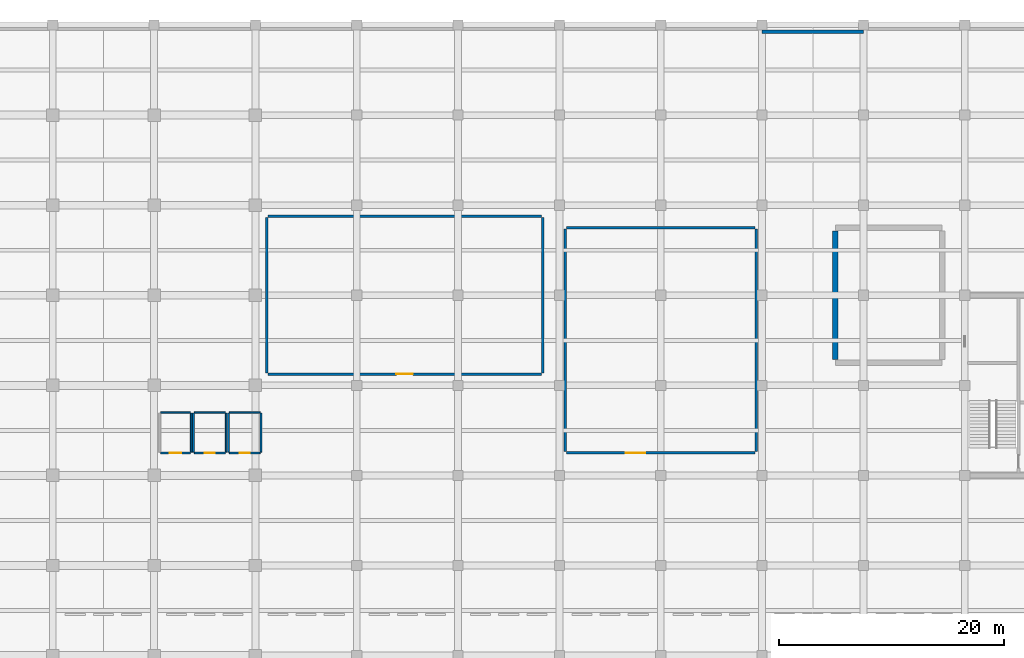
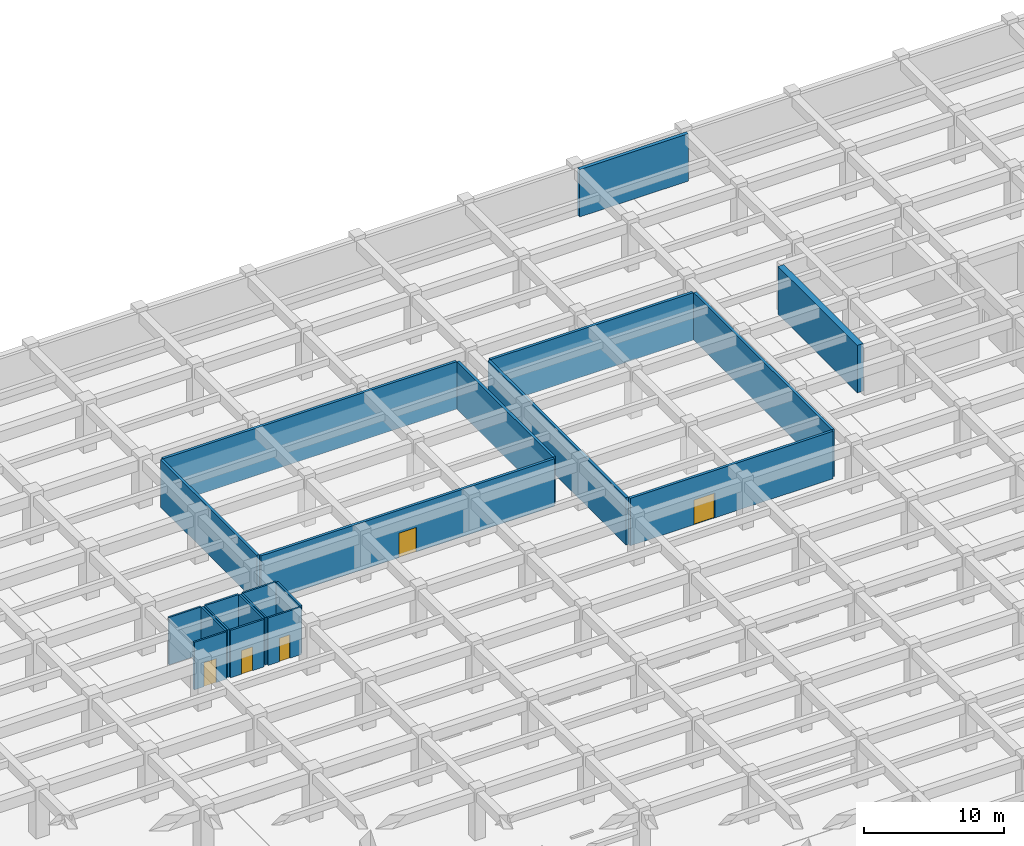
# One storey, part 15 of 26: 21 walls, 5 doors, 5 openings.
"""IFC4 building model written with IfcOpenShell, lengths in metres."""

from ifc_helpers import new_model, si_unit, direction, frame, frame_2d, origin, place, context, subcontext, project, spatial, rectangle, extrude, material, layer, layer_set, type_object, element, fill, save


model = new_model("IFC4")

# Units and contexts
model_context = context("Model", 3, precision=1e-05, world=origin(), true_north=direction((0.0, 1.0)))
body_context = subcontext(model_context, "Body", "Model", "MODEL_VIEW")
ifc_project = project(units=[si_unit("LENGTHUNIT", "METRE"), si_unit("AREAUNIT", "SQUARE_METRE"), si_unit("VOLUMEUNIT", "CUBIC_METRE"), si_unit("PLANEANGLEUNIT", "RADIAN"), si_unit("MASSUNIT", "GRAM", prefix="KILO")], contexts=[model_context])

# Site, building, storey
site_placement = place(None, origin())
site = spatial("IfcSite", under=ifc_project, at=site_placement, CompositionType="ELEMENT")
building_placement = place(site_placement, origin())
building = spatial("IfcBuilding", under=site, at=building_placement, Name="Zaverband Oceanarium and Marine Research Institute", CompositionType="ELEMENT")
storey_placement = place(building_placement, frame((0.0, 0.0, -4.5)))
storey = spatial("IfcBuildingStorey", under=building, at=storey_placement, Name="B1", CompositionType="ELEMENT", Elevation=-4.5)

# Wall, opening, door
ifc_material_1 = material(Name="Ceramic-tiled wet-room blockwork", Category="masonry")
ifc_layer_1 = layer(ifc_material_1, 0.14990234375, Name="Ceramic-tiled wet-room blockwork")
ifc_layer_set_1 = layer_set([ifc_layer_1], Name="Ceramic-tiled wet-room blockwork")
wall_type_1 = type_object("IfcWallType", Name="PT-150-WC", PredefinedType="PARTITIONING", material=ifc_layer_set_1)
wall_1_placement = place(storey_placement, frame((63.574951171875, 82.0, 0.0), z_axis=(0.0, 0.0, 1.0), x_axis=(1.0, 0.0, 0.0)))
wall_1 = element("IfcWall", 1, at=wall_1_placement, inside=storey, type_object=wall_type_1, Name="Internal partition PT-150-WC", PredefinedType="PARTITIONING", context=body_context, shape_type="SweptSolid", body=[
    extrude(rectangle(XDim=2.650146484375, YDim=0.14990234375, at=frame_2d((1.3251953125, 0.0))), origin(), (0.0, 0.0, 1.0), 4.14990234375),
])
opening_1_placement = place(wall_1_placement, frame((0.81494140625, 0.0, 0.0)))
opening_1 = element("IfcOpeningElement", 2, at=opening_1_placement, cuts=wall_1, Name="Opening ID-1020x2100", PredefinedType="OPENING", context=body_context, shape_type="SweptSolid", body=[
    extrude(rectangle(XDim=1.02001953125, YDim=2.10009765625, at=frame_2d((0.510009765625, 1.050048828125))), frame((0.0, 0.0869140625, 0.0), z_axis=(0.0, -1.0, 0.0), x_axis=(1.0, 0.0, 0.0)), (0.0, 0.0, 1.0), 0.173828125),
])
ifc_material_2 = material(Name="Hardwood-veneered acoustic timber", Category="wood")
door_type_1 = type_object("IfcDoorType", Name="ID-1020x2100", OperationType="NOTDEFINED", PredefinedType="DOOR", material=ifc_material_2)
door_1_placement = place(opening_1_placement, frame((1.02001953125, 0.0, 0.0), z_axis=(0.0, 0.0, 1.0), x_axis=(-1.0, 0.0, 0.0)))
door_1 = element("IfcDoor", 3, at=door_1_placement, inside=storey, type_object=door_type_1, Name="Accessible WC outward-swing door ID-1020x2100", OperationType="SINGLE_SWING_LEFT", OverallHeight=2.10009765625, OverallWidth=1.02001953125, PredefinedType="DOOR", context=body_context, shape_type="SweptSolid", body=[
    extrude(rectangle(XDim=1.02001953125, YDim=2.10009765625, at=frame_2d((0.510009765625, 1.050048828125))), frame((0.0, 0.02490234375, 0.0), z_axis=(0.0, -1.0, 0.0), x_axis=(1.0, 0.0, 0.0)), (0.0, 0.0, 1.0), 0.050048828125),
])
fill(opening_1, door_1)

# Walls
wall_2_placement = place(storey_placement, frame((63.574951171875, 85.60009765625, 0.0), z_axis=(0.0, 0.0, 1.0), x_axis=(1.0, 0.0, 0.0)))
element("IfcWall", 4, at=wall_2_placement, inside=storey, type_object=wall_type_1, Name="Internal partition PT-150-WC", PredefinedType="PARTITIONING", context=body_context, shape_type="SweptSolid", body=[
    extrude(rectangle(XDim=2.650146484375, YDim=0.14990234375, at=frame_2d((1.3251953125, 0.0))), origin(), (0.0, 0.0, 1.0), 4.14990234375),
])
wall_3_placement = place(storey_placement, frame((66.300048828125, 82.074951171875, 0.0), z_axis=(0.0, 0.0, 1.0), x_axis=(0.0, 1.0, 0.0)))
element("IfcWall", 5, at=wall_3_placement, inside=storey, type_object=wall_type_1, Name="Internal partition PT-150-WC", PredefinedType="PARTITIONING", context=body_context, shape_type="SweptSolid", body=[
    extrude(rectangle(XDim=3.449951171875, YDim=0.14990234375, at=frame_2d((1.72509765625, 0.0))), origin(), (0.0, 0.0, 1.0), 4.14990234375),
])

# Wall, opening, door
wall_4_placement = place(storey_placement, frame((66.574951171875, 82.0, 0.0), z_axis=(0.0, 0.0, 1.0), x_axis=(1.0, 0.0, 0.0)))
wall_4 = element("IfcWall", 6, at=wall_4_placement, inside=storey, type_object=wall_type_1, Name="Internal partition PT-150-WC", PredefinedType="PARTITIONING", context=body_context, shape_type="SweptSolid", body=[
    extrude(rectangle(XDim=2.75, YDim=0.14990234375, at=frame_2d((1.375, 0.0))), origin(), (0.0, 0.0, 1.0), 4.14990234375),
])
opening_2_placement = place(wall_4_placement, frame((0.919921875, 0.0, 0.0)))
opening_2 = element("IfcOpeningElement", 7, at=opening_2_placement, cuts=wall_4, Name="Opening ID-910x2080", PredefinedType="OPENING", context=body_context, shape_type="SweptSolid", body=[
    extrude(rectangle(XDim=0.909912109375, YDim=2.080078125, at=frame_2d((0.455078125, 1.0400390625))), frame((0.0, 0.0869140625, 0.0), z_axis=(0.0, -1.0, 0.0), x_axis=(1.0, 0.0, 0.0)), (0.0, 0.0, 1.0), 0.173828125),
])
door_type_2 = type_object("IfcDoorType", Name="ID-910x2080", OperationType="NOTDEFINED", PredefinedType="DOOR", material=ifc_material_2)
door_2_placement = place(opening_2_placement, origin())
door_2 = element("IfcDoor", 8, at=door_2_placement, inside=storey, type_object=door_type_2, Name="Sanitary washroom entrance door ID-910x2080", OperationType="SINGLE_SWING_RIGHT", OverallHeight=2.080078125, OverallWidth=0.909912109375, PredefinedType="DOOR", context=body_context, shape_type="SweptSolid", body=[
    extrude(rectangle(XDim=0.909912109375, YDim=2.080078125, at=frame_2d((0.455078125, 1.0400390625))), frame((0.0, 0.02490234375, 0.0), z_axis=(0.0, -1.0, 0.0), x_axis=(1.0, 0.0, 0.0)), (0.0, 0.0, 1.0), 0.050048828125),
])
fill(opening_2, door_2)

# Walls
wall_5_placement = place(storey_placement, frame((66.574951171875, 85.60009765625, 0.0), z_axis=(0.0, 0.0, 1.0), x_axis=(1.0, 0.0, 0.0)))
element("IfcWall", 9, at=wall_5_placement, inside=storey, type_object=wall_type_1, Name="Internal partition PT-150-WC", PredefinedType="PARTITIONING", context=body_context, shape_type="SweptSolid", body=[
    extrude(rectangle(XDim=2.75, YDim=0.14990234375, at=frame_2d((1.375, 0.0))), origin(), (0.0, 0.0, 1.0), 4.14990234375),
])
for number, where, z_axis, x_axis, name in (
    (10, (66.5, 82.074951171875, 0.0), (0.0, 0.0, 1.0), (0.0, 1.0, 0.0), "Internal partition PT-150-WC"),
    (11, (69.39990234375, 82.074951171875, 0.0), (0.0, 0.0, 1.0), (0.0, 1.0, 0.0), "Internal partition PT-150-WC"),
):
    element("IfcWall", number, at=place(storey_placement, frame(where, z_axis=z_axis, x_axis=x_axis)), inside=storey, type_object=wall_type_1, Name=name, PredefinedType="PARTITIONING", context=body_context, shape_type="SweptSolid", body=[
        extrude(rectangle(XDim=3.449951171875, YDim=0.14990234375, at=frame_2d((1.72509765625, 0.0))), origin(), (0.0, 0.0, 1.0), 4.14990234375),
    ])

# Wall, opening, door
wall_6_placement = place(storey_placement, frame((69.675048828125, 82.0, 0.0), z_axis=(0.0, 0.0, 1.0), x_axis=(1.0, 0.0, 0.0)))
wall_6 = element("IfcWall", 12, at=wall_6_placement, inside=storey, type_object=wall_type_1, Name="Internal partition PT-150-WC", PredefinedType="PARTITIONING", context=body_context, shape_type="SweptSolid", body=[
    extrude(rectangle(XDim=2.75, YDim=0.14990234375, at=frame_2d((1.375, 0.0))), origin(), (0.0, 0.0, 1.0), 4.14990234375),
])
opening_3_placement = place(wall_6_placement, frame((0.929931640625, 0.0, 0.0)))
opening_3 = element("IfcOpeningElement", 13, at=opening_3_placement, cuts=wall_6, Name="Opening ID-890x2060", PredefinedType="OPENING", context=body_context, shape_type="SweptSolid", body=[
    extrude(rectangle(XDim=0.889892578125, YDim=2.06005859375, at=frame_2d((0.44482421875, 1.030029296875))), frame((0.0, 0.0869140625, 0.0), z_axis=(0.0, -1.0, 0.0), x_axis=(1.0, 0.0, 0.0)), (0.0, 0.0, 1.0), 0.173828125),
])
door_type_3 = type_object("IfcDoorType", Name="ID-890x2060", OperationType="NOTDEFINED", PredefinedType="DOOR", material=ifc_material_2)
door_3_placement = place(opening_3_placement, origin())
door_3 = element("IfcDoor", 14, at=door_3_placement, inside=storey, type_object=door_type_3, Name="Staff WC door ID-890x2060", OperationType="SINGLE_SWING_LEFT", OverallHeight=2.06005859375, OverallWidth=0.889892578125, PredefinedType="DOOR", context=body_context, shape_type="SweptSolid", body=[
    extrude(rectangle(XDim=0.889892578125, YDim=2.06005859375, at=frame_2d((0.44482421875, 1.030029296875))), frame((0.0, 0.02490234375, 0.0), z_axis=(0.0, -1.0, 0.0), x_axis=(1.0, 0.0, 0.0)), (0.0, 0.0, 1.0), 0.050048828125),
])
fill(opening_3, door_3)

# Walls
wall_7_placement = place(storey_placement, frame((69.675048828125, 85.60009765625, 0.0), z_axis=(0.0, 0.0, 1.0), x_axis=(1.0, 0.0, 0.0)))
element("IfcWall", 15, at=wall_7_placement, inside=storey, type_object=wall_type_1, Name="Internal partition PT-150-WC", PredefinedType="PARTITIONING", context=body_context, shape_type="SweptSolid", body=[
    extrude(rectangle(XDim=2.75, YDim=0.14990234375, at=frame_2d((1.375, 0.0))), origin(), (0.0, 0.0, 1.0), 4.14990234375),
])
for number, where, z_axis, x_axis, name in (
    (16, (69.60009765625, 82.074951171875, 0.0), (0.0, 0.0, 1.0), (0.0, 1.0, 0.0), "Internal partition PT-150-WC"),
    (17, (72.5, 82.074951171875, 0.0), (0.0, 0.0, 1.0), (0.0, 1.0, 0.0), "Internal partition PT-150-WC"),
):
    element("IfcWall", number, at=place(storey_placement, frame(where, z_axis=z_axis, x_axis=x_axis)), inside=storey, type_object=wall_type_1, Name=name, PredefinedType="PARTITIONING", context=body_context, shape_type="SweptSolid", body=[
        extrude(rectangle(XDim=3.449951171875, YDim=0.14990234375, at=frame_2d((1.72509765625, 0.0))), origin(), (0.0, 0.0, 1.0), 4.14990234375),
    ])

# Wall, opening, door
ifc_material_3 = material(Name="Epoxy-coated marine blockwork", Category="masonry")
ifc_layer_2 = layer(ifc_material_3, 0.219970703125, Name="Epoxy-coated marine blockwork")
ifc_layer_set_2 = layer_set([ifc_layer_2], Name="Epoxy-coated marine blockwork")
wall_type_2 = type_object("IfcWallType", Name="PT-220-QT", PredefinedType="PARTITIONING", material=ifc_layer_set_2)
wall_8_placement = place(storey_placement, frame((99.610107421875, 82.0, 0.0), z_axis=(0.0, 0.0, 1.0), x_axis=(1.0, 0.0, 0.0)))
wall_8 = element("IfcWall", 18, at=wall_8_placement, inside=storey, type_object=wall_type_2, Name="Internal partition PT-220-QT", PredefinedType="PARTITIONING", context=body_context, shape_type="SweptSolid", body=[
    extrude(rectangle(XDim=16.77978515625, YDim=0.219970703125, at=frame_2d((8.389892578125, 0.0))), origin(), (0.0, 0.0, 1.0), 4.14990234375),
])
opening_4_placement = place(wall_8_placement, frame((5.27099609375, 0.0, 0.0)))
opening_4 = element("IfcOpeningElement", 19, at=opening_4_placement, cuts=wall_8, Name="Opening ID-1720x2160", PredefinedType="OPENING", context=body_context, shape_type="SweptSolid", body=[
    extrude(rectangle(XDim=1.719970703125, YDim=2.159912109375, at=frame_2d((0.85986328125, 1.080078125))), frame((0.0, 0.1220703125, 0.0), z_axis=(0.0, -1.0, 0.0), x_axis=(1.0, 0.0, 0.0)), (0.0, 0.0, 1.0), 0.243896484375),
])
ifc_material_4 = material(Name="Steel S355", Category="steel")
door_type_4 = type_object("IfcDoorType", Name="ID-1720x2160", OperationType="DOUBLE_DOOR_SINGLE_SWING", PredefinedType="DOOR", material=ifc_material_4)
door_4_placement = place(opening_4_placement, origin())
door_4 = element("IfcDoor", 20, at=door_4_placement, inside=storey, type_object=door_type_4, Name="Quarantine biosecure double door ID-1720x2160", OperationType="DOUBLE_DOOR_SINGLE_SWING", OverallHeight=2.159912109375, OverallWidth=1.719970703125, PredefinedType="DOOR", context=body_context, shape_type="SweptSolid", body=[
    extrude(rectangle(XDim=1.719970703125, YDim=2.159912109375, at=frame_2d((0.85986328125, 1.080078125))), frame((0.0, 0.02490234375, 0.0), z_axis=(0.0, -1.0, 0.0), x_axis=(1.0, 0.0, 0.0)), (0.0, 0.0, 1.0), 0.050048828125),
])
fill(opening_4, door_4)

# Walls
wall_9_placement = place(storey_placement, frame((99.610107421875, 102.0, 0.0), z_axis=(0.0, 0.0, 1.0), x_axis=(1.0, 0.0, 0.0)))
element("IfcWall", 21, at=wall_9_placement, inside=storey, type_object=wall_type_2, Name="Internal partition PT-220-QT", PredefinedType="PARTITIONING", context=body_context, shape_type="SweptSolid", body=[
    extrude(rectangle(XDim=16.77978515625, YDim=0.219970703125, at=frame_2d((8.389892578125, 0.0))), origin(), (0.0, 0.0, 1.0), 4.14990234375),
])
for number, where, z_axis, x_axis, name in (
    (22, (99.5, 82.110107421875, 0.0), (0.0, 0.0, 1.0), (0.0, 1.0, 0.0), "Internal partition PT-220-QT"),
    (23, (116.5, 82.110107421875, 0.0), (0.0, 0.0, 1.0), (0.0, 1.0, 0.0), "Internal partition PT-220-QT"),
):
    element("IfcWall", number, at=place(storey_placement, frame(where, z_axis=z_axis, x_axis=x_axis)), inside=storey, type_object=wall_type_2, Name=name, PredefinedType="PARTITIONING", context=body_context, shape_type="SweptSolid", body=[
        extrude(rectangle(XDim=19.77978515625, YDim=0.219970703125, at=frame_2d((9.889892578125, 0.0))), origin(), (0.0, 0.0, 1.0), 4.14990234375),
    ])

# Wall, opening, door
wall_10_placement = place(storey_placement, frame((73.110107421875, 89.0, 0.0), z_axis=(0.0, 0.0, 1.0), x_axis=(1.0, 0.0, 0.0)))
wall_10 = element("IfcWall", 24, at=wall_10_placement, inside=storey, type_object=wall_type_2, Name="Internal partition PT-220-QT", PredefinedType="PARTITIONING", context=body_context, shape_type="SweptSolid", body=[
    extrude(rectangle(XDim=24.27978515625, YDim=0.219970703125, at=frame_2d((12.139892578125, 0.0))), origin(), (0.0, 0.0, 1.0), 4.14990234375),
])
opening_5_placement = place(wall_10_placement, frame((11.409912109375, 0.0, 0.0)))
opening_5 = element("IfcOpeningElement", 25, at=opening_5_placement, cuts=wall_10, Name="Opening ID-1460x2150", PredefinedType="OPENING", context=body_context, shape_type="SweptSolid", body=[
    extrude(rectangle(XDim=1.4599609375, YDim=2.14990234375, at=frame_2d((0.72998046875, 1.074951171875))), frame((0.0, 0.1220703125, 0.0), z_axis=(0.0, -1.0, 0.0), x_axis=(1.0, 0.0, 0.0)), (0.0, 0.0, 1.0), 0.243896484375),
])
door_type_5 = type_object("IfcDoorType", Name="ID-1460x2150", OperationType="NOTDEFINED", PredefinedType="DOOR", material=ifc_material_2)
door_5_placement = place(opening_5_placement, origin())
door_5 = element("IfcDoor", 26, at=door_5_placement, inside=storey, type_object=door_type_5, Name="Wet laboratory leaf-and-a-half door ID-1460x2150", OperationType="SINGLE_SWING_LEFT", OverallHeight=2.14990234375, OverallWidth=1.4599609375, PredefinedType="DOOR", context=body_context, shape_type="SweptSolid", body=[
    extrude(rectangle(XDim=1.4599609375, YDim=2.14990234375, at=frame_2d((0.72998046875, 1.074951171875))), frame((0.0, 0.02490234375, 0.0), z_axis=(0.0, -1.0, 0.0), x_axis=(1.0, 0.0, 0.0)), (0.0, 0.0, 1.0), 0.050048828125),
])
fill(opening_5, door_5)

# Walls
wall_11_placement = place(storey_placement, frame((73.110107421875, 103.0, 0.0), z_axis=(0.0, 0.0, 1.0), x_axis=(1.0, 0.0, 0.0)))
element("IfcWall", 27, at=wall_11_placement, inside=storey, type_object=wall_type_2, Name="Internal partition PT-220-QT", PredefinedType="PARTITIONING", context=body_context, shape_type="SweptSolid", body=[
    extrude(rectangle(XDim=24.27978515625, YDim=0.219970703125, at=frame_2d((12.139892578125, 0.0))), origin(), (0.0, 0.0, 1.0), 4.14990234375),
])
for number, where, z_axis, x_axis, name in (
    (28, (73.0, 89.110107421875, 0.0), (0.0, 0.0, 1.0), (0.0, 1.0, 0.0), "Internal partition PT-220-QT"),
    (29, (97.5, 89.110107421875, 0.0), (0.0, 0.0, 1.0), (0.0, 1.0, 0.0), "Internal partition PT-220-QT"),
):
    element("IfcWall", number, at=place(storey_placement, frame(where, z_axis=z_axis, x_axis=x_axis)), inside=storey, type_object=wall_type_2, Name=name, PredefinedType="PARTITIONING", context=body_context, shape_type="SweptSolid", body=[
        extrude(rectangle(XDim=13.77978515625, YDim=0.219970703125, at=frame_2d((6.889892578125, 0.0))), origin(), (0.0, 0.0, 1.0), 4.14990234375),
    ])
ifc_material_5 = material(Name="Concrete C40/50", Category="concrete")
ifc_layer_3 = layer(ifc_material_5, 0.280029296875, Name="Concrete C40/50")
ifc_layer_set_3 = layer_set([ifc_layer_3], Name="Concrete C40/50")
wall_type_3 = type_object("IfcWallType", Name="SCW-03", PredefinedType="SOLIDWALL", material=ifc_layer_set_3)
wall_12_placement = place(storey_placement, frame((117.0, 119.39990234375, 0.0), z_axis=(0.0, 0.0, 1.0), x_axis=(1.0, 0.0, 0.0)))
element("IfcWall", 30, at=wall_12_placement, inside=storey, type_object=wall_type_3, Name="Structural concrete wall SCW-03", PredefinedType="SOLIDWALL", context=body_context, shape_type="SweptSolid", body=[
    extrude(rectangle(XDim=9.0, YDim=0.280029296875, at=frame_2d((4.5, 0.0))), origin(), (0.0, 0.0, 1.0), 4.14990234375),
])
ifc_material_6 = material(Name="Concrete C45/55", Category="concrete")
ifc_layer_4 = layer(ifc_material_6, 0.5, Name="Concrete C45/55")
ifc_layer_set_4 = layer_set([ifc_layer_4], Name="Concrete C45/55")
wall_type_4 = type_object("IfcWallType", Name="TW-02", PredefinedType="SHEAR", material=ifc_layer_set_4)
wall_13_placement = place(storey_placement, frame((123.5, 90.300048828125, 0.0), z_axis=(0.0, 0.0, 1.0), x_axis=(0.0, 1.0, 0.0)))
element("IfcWall", 31, at=wall_13_placement, inside=storey, type_object=wall_type_4, Name="Marine tank wall TW-02", PredefinedType="SHEAR", context=body_context, shape_type="SweptSolid", body=[
    extrude(rectangle(XDim=11.39990234375, YDim=0.5, at=frame_2d((5.699951171875, 0.0))), origin(), (0.0, 0.0, 1.0), 4.14990234375),
])

save(model, "model.ifc")
